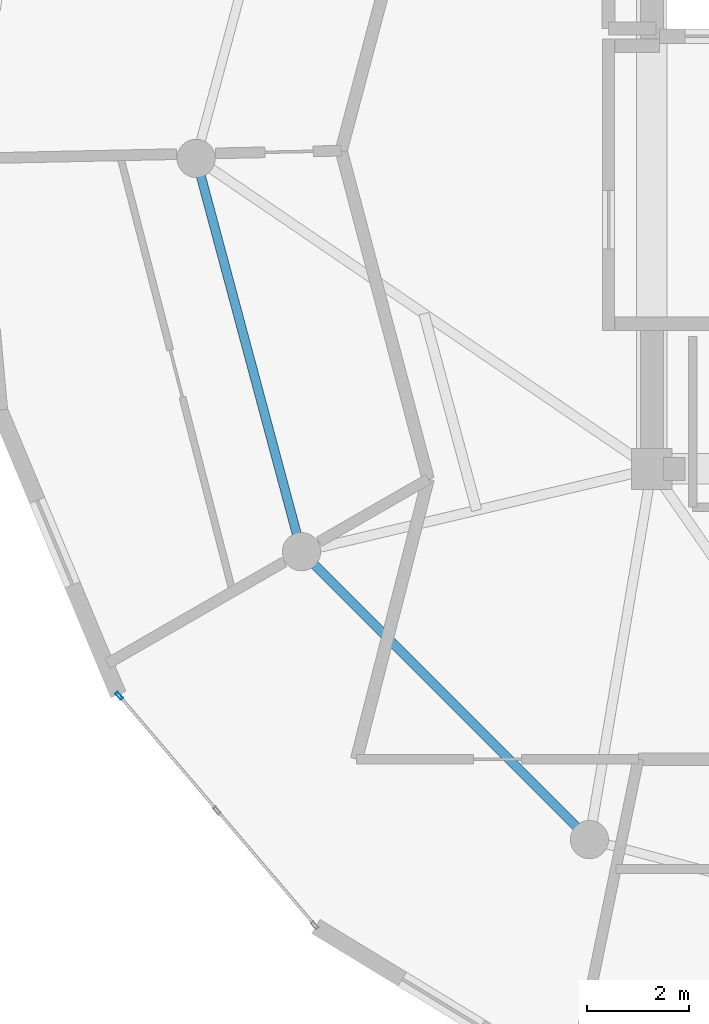
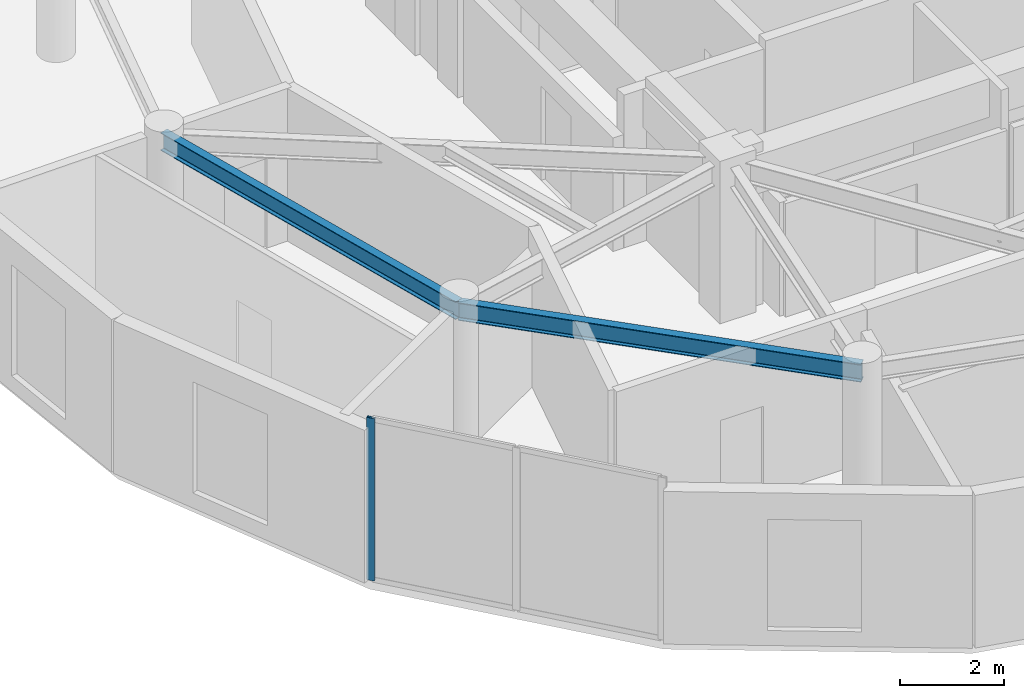
# One storey, part 3 of 22: 2 beams, 1 member, 1 element without a shape of its own.
"""IFC4 building model written with IfcOpenShell, lengths in metres."""

from ifc_helpers import new_model, si_unit, direction, frame, origin, origin_2d, place, context, subcontext, project, spatial, hollow_rectangle, i_section, extrude, source, transform, mapped, material, layer, layer_set, material_profile, profile_set, type_object, element, aggregate, save


model = new_model("IFC4")

# Units and contexts
model_context = context("Model", 3, precision=1e-05, world=origin(), true_north=direction((0.0, 1.0)))
body_context = subcontext(model_context, "Body", "Model", "MODEL_VIEW")
ifc_project = project(units=[si_unit("LENGTHUNIT", "METRE"), si_unit("AREAUNIT", "SQUARE_METRE"), si_unit("VOLUMEUNIT", "CUBIC_METRE"), si_unit("PLANEANGLEUNIT", "RADIAN"), si_unit("MASSUNIT", "GRAM", prefix="KILO")], contexts=[model_context])

# Site, building, storey
site_placement = place(None, origin())
site = spatial("IfcSite", under=ifc_project, at=site_placement, CompositionType="ELEMENT")
building_placement = place(site_placement, origin())
building = spatial("IfcBuilding", under=site, at=building_placement, Name="Solvirekh Grand Hotel", CompositionType="ELEMENT")
storey_placement = place(building_placement, frame((0.0, 0.0, 289.60009765625)))
storey = spatial("IfcBuildingStorey", under=building, at=storey_placement, Name="L75", CompositionType="ELEMENT", Elevation=289.60009765625)

# Beams
ifc_material_1 = material(Name="Steel S355", Category="steel")
ifc_material_profile_1 = material_profile(ifc_material_1, i_section(OverallWidth=0.180908203125, OverallDepth=0.4169921875, WebThickness=0.010009765625, FlangeThickness=0.01611328125, FilletRadius=0.011962890625, at=origin_2d()), Name="W410X85")
ifc_profile_set_1 = profile_set([ifc_material_profile_1], Name="Steel S355")
beam_type = type_object("IfcBeamType", Name="Spandrel_Ring_W410", PredefinedType="SPANDREL", material=ifc_profile_set_1)
beam_1_placement = place(storey_placement, frame((-15.449951171875, 0.0, 3.36181640625), z_axis=(0.258834757072, -0.965921616143, 0.0), x_axis=(0.965921616143, 0.258834757072, 0.0)))
element("IfcBeam", 1, at=beam_1_placement, inside=storey, type_object=beam_type, Name="L75 perimeter spandrel beam 7", PredefinedType="SPANDREL", context=body_context, shape_type="SweptSolid", body=[
    extrude(i_section(OverallWidth=0.180908203125, OverallDepth=0.4169921875, WebThickness=0.010009765625, FlangeThickness=0.01611328125, FilletRadius=0.011962890625, at=origin_2d()), origin(), (0.0, 0.0, 1.0), 7.99755859375),
])
beam_2_placement = place(storey_placement, frame((-13.3798828125, -7.72509765625, 3.36181640625), z_axis=(0.707106781187, -0.707106781187, 0.0), x_axis=(0.707106781187, 0.707106781187, 0.0)))
element("IfcBeam", 2, at=beam_2_placement, inside=storey, type_object=beam_type, Name="L75 perimeter spandrel beam 8", PredefinedType="SPANDREL", context=body_context, shape_type="SweptSolid", body=[
    extrude(i_section(OverallWidth=0.180908203125, OverallDepth=0.4169921875, WebThickness=0.010009765625, FlangeThickness=0.01611328125, FilletRadius=0.011962890625, at=origin_2d()), origin(), (0.0, 0.0, 1.0), 7.9970703125),
])

# Curtain wall, member
ifc_material_2 = material(Name="Anodized Bronze Aluminium 6063-T6", Category="aluminium")
ifc_layer = layer(ifc_material_2, 0.159912109375)
ifc_layer_set = layer_set([ifc_layer], Name="Anodized Bronze Aluminium 6063-T6")
curtain_wall_type = type_object("IfcCurtainWallType", Name="CW_Sys4_HighZoneFlushBronzeCW", PredefinedType="NOTDEFINED", material=ifc_layer_set)
curtain_wall_placement = place(storey_placement, origin())
curtain_wall = element("IfcCurtainWall", 3, at=curtain_wall_placement, inside=storey, type_object=curtain_wall_type, Name="L75 unitised bronze-glass curtain wall CW-L75-C18", PredefinedType="NOTDEFINED")
ifc_material_profile_2 = material_profile(ifc_material_2, hollow_rectangle(XDim=0.06005859375, YDim=0.159912109375, WallThickness=0.0048828125, at=origin_2d()), Name="ALU RHS 160X60X5")
ifc_profile_set_2 = profile_set([ifc_material_profile_2], Name="Anodized Bronze Aluminium 6063-T6")
member_type = type_object("IfcMemberType", Name="CWMullion_Sys4", PredefinedType="MULLION", material=ifc_profile_set_2)
shared_shape = source(origin(), body_context, "Body", "SweptSolid", [
    extrude(hollow_rectangle(XDim=0.06005859375, YDim=0.159912109375, WallThickness=0.0048828125, at=origin_2d()), origin(), (0.0, 0.0, 1.0), 3.7998046875),
])
member_placement = place(storey_placement, frame((-16.95947265625, -10.553955078125, 0.0), z_axis=(0.0, 0.0, 1.0), x_axis=(0.76117601134, 0.648545356749, 0.0)))
member = element("IfcMember", 4, at=member_placement, type_object=member_type, Name="U04 mullion 1", PredefinedType="MULLION", context=body_context, shape_type="MappedRepresentation", body=[
    mapped(shared_shape, transform((0.0, 0.0, 0.0), x_axis=(1.0, 0.0, 0.0), y_axis=(0.0, 1.0, 0.0), z_axis=(0.0, 0.0, 1.0), scale=1.0)),
])
aggregate(curtain_wall, [member])

save(model, "model.ifc")
